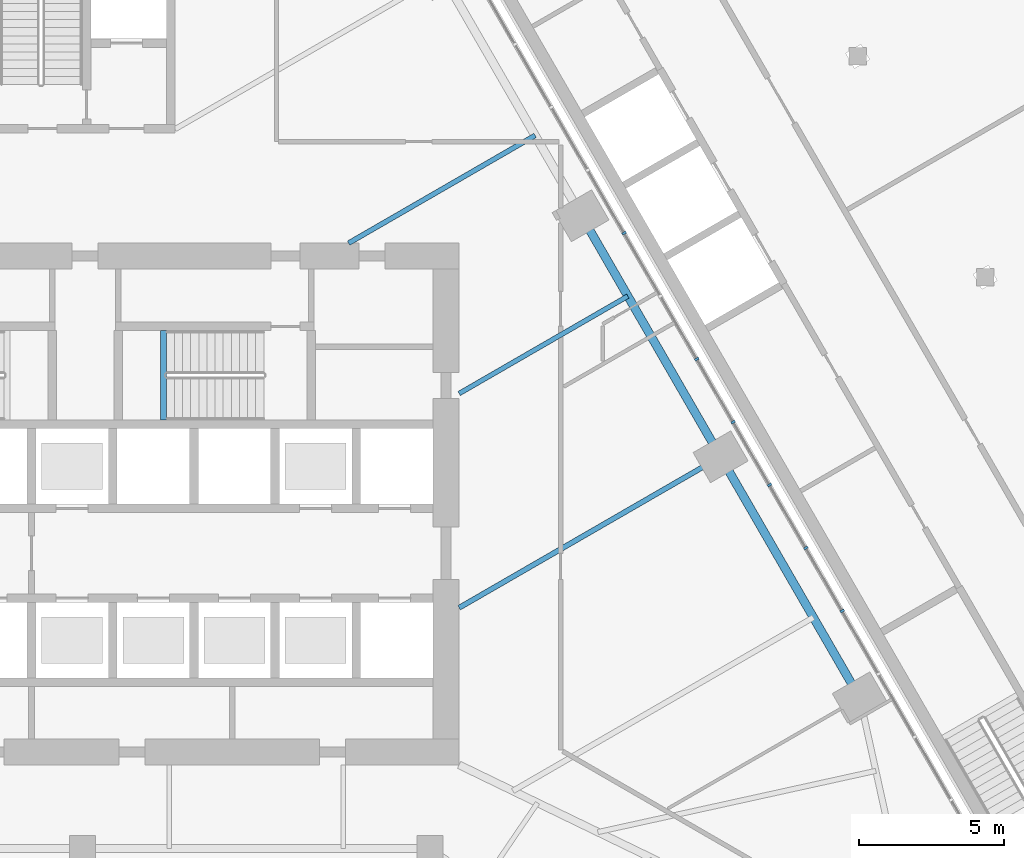
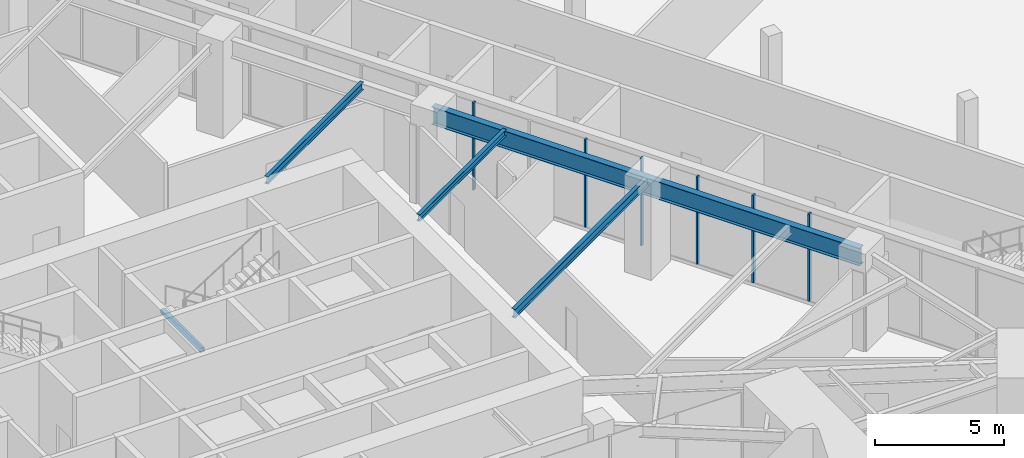
# One storey, part 8 of 29: 6 members, 5 beams, 1 element without a shape of its own.
"""IFC4 building model written with IfcOpenShell, lengths in metres."""

from ifc_helpers import new_model, si_unit, direction, frame, origin, origin_2d, place, context, subcontext, project, spatial, rectangle, i_section, extrude, material, layer, layer_set, material_profile, profile_set, type_object, element, aggregate, save


model = new_model("IFC4")

# Units and contexts
model_context = context("Model", 3, precision=1e-05, world=origin(), true_north=direction((0.0, 1.0)))
body_context = subcontext(model_context, "Body", "Model", "MODEL_VIEW")
ifc_project = project(units=[si_unit("LENGTHUNIT", "METRE"), si_unit("AREAUNIT", "SQUARE_METRE"), si_unit("VOLUMEUNIT", "CUBIC_METRE"), si_unit("PLANEANGLEUNIT", "RADIAN"), si_unit("MASSUNIT", "GRAM", prefix="KILO")], contexts=[model_context])

# Site, building, storey
site_placement = place(None, origin())
site = spatial("IfcSite", under=ifc_project, at=site_placement, CompositionType="ELEMENT")
building_placement = place(site_placement, origin())
building = spatial("IfcBuilding", under=site, at=building_placement, Name="Firuza Gate Tower and Library", CompositionType="ELEMENT")
storey_placement = place(building_placement, frame((0.0, 0.0, 8.0)))
storey = spatial("IfcBuildingStorey", under=building, at=storey_placement, Name="L01", CompositionType="ELEMENT", Elevation=8.0)

# Curtain wall, members
ifc_material_1 = material(Name="Aluminium 6063-T6", Category="aluminium")
ifc_layer = layer(ifc_material_1, 0.14990234375)
ifc_layer_set = layer_set([ifc_layer], Name="Stick curtain wall, podium")
curtain_wall_type = type_object("IfcCurtainWallType", Name="Stick curtain wall, podium", PredefinedType="NOTDEFINED", material=ifc_layer_set)
curtain_wall_placement = place(storey_placement, origin())
curtain_wall = element("IfcCurtainWall", 1, at=curtain_wall_placement, inside=storey, type_object=curtain_wall_type, Name="CW5 L01 E", PredefinedType="NOTDEFINED")
ifc_material_2 = material(Name="Aluminium 6063-T6", Category="aluminium")
ifc_material_profile_1 = material_profile(ifc_material_2, rectangle(XDim=0.14990234375, YDim=0.080078125, at=origin_2d()))
ifc_profile_set_1 = profile_set([ifc_material_profile_1], Name="Aluminium 6063-T6")
member_type = type_object("IfcMemberType", Name="Curtain wall mullion 80x150", PredefinedType="MULLION", material=ifc_profile_set_1)
member_1_placement = place(storey_placement, frame((101.21630859375, 71.311279296875, 0.14990234375), z_axis=(0.0, 0.0, 1.0), x_axis=(-0.866025403784, -0.5, 0.0)))
member_1 = element("IfcMember", 2, at=member_1_placement, type_object=member_type, Name="Mullion", PredefinedType="MULLION", context=body_context, shape_type="SweptSolid", body=[
    extrude(rectangle(XDim=0.14990234375, YDim=0.080078125, at=origin_2d()), origin(), (0.0, 0.0, 1.0), 4.150146484375),
])
member_2_placement = place(storey_placement, frame((99.962158203125, 73.4833984375, 0.14990234375), z_axis=(0.0, 0.0, 1.0), x_axis=(-0.866025403784, -0.5, 0.0)))
member_2 = element("IfcMember", 3, at=member_2_placement, type_object=member_type, Name="Mullion", PredefinedType="MULLION", context=body_context, shape_type="SweptSolid", body=[
    extrude(rectangle(XDim=0.14990234375, YDim=0.080078125, at=origin_2d()), origin(), (0.0, 0.0, 1.0), 4.150146484375),
])
member_3_placement = place(storey_placement, frame((98.708251953125, 75.655517578125, 0.14990234375), z_axis=(0.0, 0.0, 1.0), x_axis=(-0.866025403784, -0.5, 0.0)))
member_3 = element("IfcMember", 4, at=member_3_placement, type_object=member_type, Name="Mullion", PredefinedType="MULLION", context=body_context, shape_type="SweptSolid", body=[
    extrude(rectangle(XDim=0.14990234375, YDim=0.080078125, at=origin_2d()), origin(), (0.0, 0.0, 1.0), 4.150146484375),
])
member_4_placement = place(storey_placement, frame((97.4541015625, 77.827392578125, 0.14990234375), z_axis=(0.0, 0.0, 1.0), x_axis=(-0.866025403784, -0.5, 0.0)))
member_4 = element("IfcMember", 5, at=member_4_placement, type_object=member_type, Name="Mullion", PredefinedType="MULLION", context=body_context, shape_type="SweptSolid", body=[
    extrude(rectangle(XDim=0.14990234375, YDim=0.080078125, at=origin_2d()), origin(), (0.0, 0.0, 1.0), 4.150146484375),
])
member_5_placement = place(storey_placement, frame((96.2001953125, 79.99951171875, 0.14990234375), z_axis=(0.0, 0.0, 1.0), x_axis=(-0.866025403784, -0.5, 0.0)))
member_5 = element("IfcMember", 6, at=member_5_placement, type_object=member_type, Name="Mullion", PredefinedType="MULLION", context=body_context, shape_type="SweptSolid", body=[
    extrude(rectangle(XDim=0.14990234375, YDim=0.080078125, at=origin_2d()), origin(), (0.0, 0.0, 1.0), 4.150146484375),
])
member_6_placement = place(storey_placement, frame((93.69189453125, 84.34375, 0.14990234375), z_axis=(0.0, 0.0, 1.0), x_axis=(-0.866025403784, -0.5, 0.0)))
member_6 = element("IfcMember", 7, at=member_6_placement, type_object=member_type, Name="Mullion", PredefinedType="MULLION", context=body_context, shape_type="SweptSolid", body=[
    extrude(rectangle(XDim=0.14990234375, YDim=0.080078125, at=origin_2d()), origin(), (0.0, 0.0, 1.0), 4.150146484375),
])
aggregate(curtain_wall, [member_1, member_2, member_3, member_4, member_5, member_6])

# Beams
ifc_material_3 = material(Name="Concrete C35/45", Category="concrete")
ifc_material_profile_2 = material_profile(ifc_material_3, rectangle(XDim=0.199951171875, YDim=0.199951171875, at=origin_2d()))
ifc_profile_set_2 = profile_set([ifc_material_profile_2], Name="Concrete C35/45")
beam_type_1 = type_object("IfcBeamType", Name="Stair landing bearer 200x200", PredefinedType="BEAM", material=ifc_profile_set_2)
beam_1_placement = place(storey_placement, frame((77.800048828125, 80.97998046875, 2.0), z_axis=(0.0, -1.0, 0.0), x_axis=(1.0, 0.0, 0.0)))
element("IfcBeam", 8, at=beam_1_placement, inside=storey, type_object=beam_type_1, Name="Landing bearer L01 stair 2", PredefinedType="BEAM", context=body_context, shape_type="SweptSolid", body=[
    extrude(rectangle(XDim=0.199951171875, YDim=0.199951171875, at=origin_2d()), origin(), (0.0, 0.0, 1.0), 3.080078125),
])
ifc_material_4 = material(Name="Steel S355", Category="steel")
ifc_material_profile_3 = material_profile(ifc_material_4, i_section(OverallWidth=0.1650390625, OverallDepth=0.31005859375, WebThickness=0.005859375, FlangeThickness=0.009765625, at=origin_2d()))
ifc_profile_set_3 = profile_set([ifc_material_profile_3], Name="Steel S355")
beam_type_2 = type_object("IfcBeamType", Name="W310x39 Floor beam", PredefinedType="JOIST", material=ifc_profile_set_3)
beam_2_placement = place(storey_placement, frame((93.820556640625, 82.171142578125, 4.14501953125), z_axis=(-0.866019234261, -0.500010685776, 0.0), x_axis=(0.500010685776, -0.866019234261, 0.0)))
element("IfcBeam", 9, at=beam_2_placement, inside=storey, type_object=beam_type_2, Name="Floor beam L01 s72", PredefinedType="JOIST", context=body_context, shape_type="SweptSolid", body=[
    extrude(i_section(OverallWidth=0.1650390625, OverallDepth=0.31005859375, WebThickness=0.005859375, FlangeThickness=0.009765625, at=origin_2d()), origin(), (0.0, 0.0, 1.0), 6.720947265625),
])
ifc_material_5 = material(Name="Steel S355", Category="steel")
ifc_material_profile_4 = material_profile(ifc_material_5, i_section(OverallWidth=0.1708984375, OverallDepth=0.35498046875, WebThickness=0.007080078125, FlangeThickness=0.01171875, at=origin_2d()))
ifc_profile_set_4 = profile_set([ifc_material_profile_4], Name="Steel S355")
beam_type_3 = type_object("IfcBeamType", Name="W360x51 Floor beam", PredefinedType="JOIST", material=ifc_profile_set_4)
beam_3_placement = place(storey_placement, frame((90.62060546875, 87.713623046875, 4.12255859375), z_axis=(-0.866023556141, -0.500003200199, 0.0), x_axis=(0.500003200199, -0.866023556141, 0.0)))
element("IfcBeam", 10, at=beam_3_placement, inside=storey, type_object=beam_type_3, Name="Floor beam L01 s73", PredefinedType="JOIST", context=body_context, shape_type="SweptSolid", body=[
    extrude(i_section(OverallWidth=0.1708984375, OverallDepth=0.35498046875, WebThickness=0.007080078125, FlangeThickness=0.01171875, at=origin_2d()), origin(), (0.0, 0.0, 1.0), 7.42724609375),
])
ifc_material_6 = material(Name="Steel S355", Category="steel")
ifc_material_profile_5 = material_profile(ifc_material_6, i_section(OverallWidth=0.177978515625, OverallDepth=0.406982421875, WebThickness=0.0078125, FlangeThickness=0.0126953125, at=origin_2d()))
ifc_profile_set_5 = profile_set([ifc_material_profile_5], Name="Steel S355")
beam_type_4 = type_object("IfcBeamType", Name="W410x60 Floor beam", PredefinedType="JOIST", material=ifc_profile_set_5)
beam_4_placement = place(storey_placement, frame((97.0205078125, 76.62841796875, 4.096435546875), z_axis=(-0.866024771944, -0.500001094379, 0.0), x_axis=(0.500001094379, -0.866024771944, 0.0)))
element("IfcBeam", 11, at=beam_4_placement, inside=storey, type_object=beam_type_4, Name="Floor beam L01 s71", PredefinedType="JOIST", context=body_context, shape_type="SweptSolid", body=[
    extrude(i_section(OverallWidth=0.177978515625, OverallDepth=0.406982421875, WebThickness=0.0078125, FlangeThickness=0.0126953125, at=origin_2d()), origin(), (0.0, 0.0, 1.0), 10.416015625),
])
ifc_material_7 = material(Name="Steel S355", Category="steel")
ifc_material_profile_6 = material_profile(ifc_material_7, i_section(OverallWidth=0.2919921875, OverallDepth=0.8349609375, WebThickness=0.013916015625, FlangeThickness=0.018798828125, at=origin_2d()))
ifc_profile_set_6 = profile_set([ifc_material_profile_6], Name="Steel S355")
beam_type_5 = type_object("IfcBeamType", Name="W840x176 Edge beam", PredefinedType="SPANDREL", material=ifc_profile_set_6)
beam_5_placement = place(storey_placement, frame((101.820556640625, 68.314697265625, 3.882568359375), z_axis=(-0.500003864429, 0.866023172644, 0.0), x_axis=(-0.866023172644, -0.500003864429, 0.0)))
element("IfcBeam", 12, at=beam_5_placement, inside=storey, type_object=beam_type_5, Name="Edge beam L01 e70", PredefinedType="SPANDREL", context=body_context, shape_type="SweptSolid", body=[
    extrude(i_section(OverallWidth=0.2919921875, OverallDepth=0.8349609375, WebThickness=0.013916015625, FlangeThickness=0.018798828125, at=origin_2d()), origin(), (0.0, 0.0, 1.0), 19.199951171875),
])

save(model, "model.ifc")
